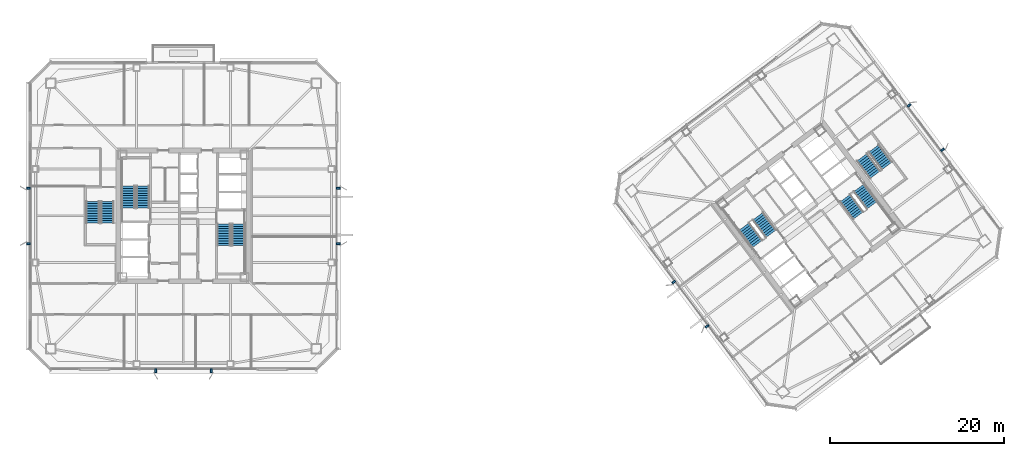
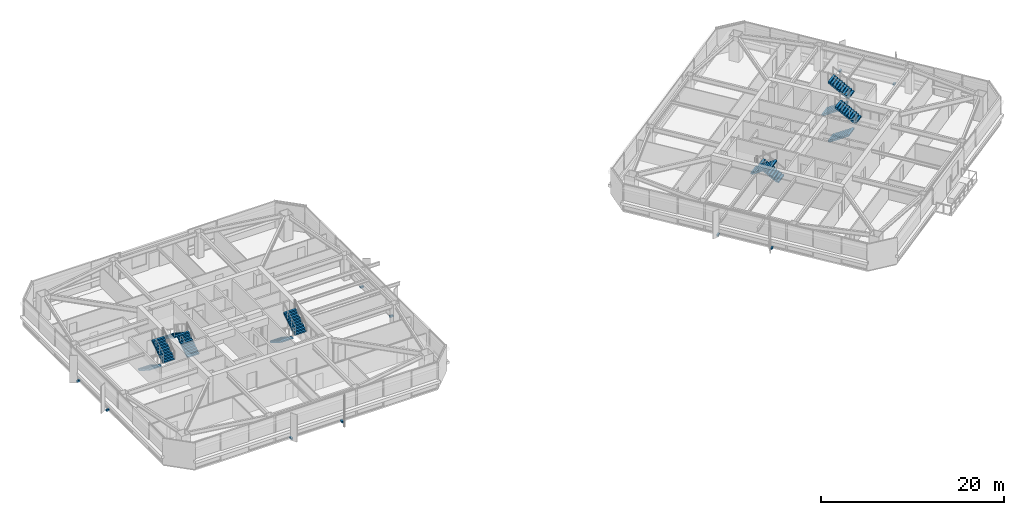
# One storey, part 40 of 46: 12 stair flights, 10 discrete accessories, 6 elements without a shape of their own.
"""IFC4 building model written with IfcOpenShell, lengths in metres."""

from ifc_helpers import new_model, si_unit, direction, frame, origin, origin_2d, place, context, subcontext, project, spatial, polyline, rectangle, outline, extrude, material, type_object, element, aggregate, save


model = new_model("IFC4")

# Units and contexts
model_context = context("Model", 3, precision=1e-05, world=origin(), true_north=direction((0.0, 1.0)))
body_context = subcontext(model_context, "Body", "Model", "MODEL_VIEW")
ifc_project = project(units=[si_unit("LENGTHUNIT", "METRE"), si_unit("AREAUNIT", "SQUARE_METRE"), si_unit("VOLUMEUNIT", "CUBIC_METRE"), si_unit("PLANEANGLEUNIT", "RADIAN"), si_unit("MASSUNIT", "GRAM", prefix="KILO")], contexts=[model_context])

# Site, building, storey
site_placement = place(None, origin())
site = spatial("IfcSite", under=ifc_project, at=site_placement, CompositionType="ELEMENT")
building_placement = place(site_placement, origin())
building = spatial("IfcBuilding", under=site, at=building_placement, Name="Tashvorn Skyway Center", CompositionType="ELEMENT")
storey_placement = place(building_placement, frame((0.0, 0.0, 167.64990234375)))
storey = spatial("IfcBuildingStorey", under=building, at=storey_placement, Name="L45", CompositionType="ELEMENT", Elevation=167.64990234375)

# Stair, stair flights
ifc_material_1 = material(Name="Concrete C40/50", Category="concrete")
stair_type = type_object("IfcStairType", Name="STAIR-CORE-1500", PredefinedType="HALF_TURN_STAIR", material=ifc_material_1)
stair_1_placement = place(storey_placement, origin())
stair_1 = element("IfcStair", 1, at=stair_1_placement, inside=storey, type_object=stair_type, Name="L45 Tower 1 Exit Stair 1", PredefinedType="HALF_TURN_STAIR")
stair_flight_type = type_object("IfcStairFlightType", Name="SFLIGHT-1500", PredefinedType="STRAIGHT", material=ifc_material_1)
stair_flight_1_placement = place(storey_placement, frame((37.35009765625, 32.919921875, 0.0), z_axis=(0.0, 0.0, 1.0), x_axis=(0.0, 1.0, 0.0)))
stair_flight_1 = element("IfcStairFlight", 2, at=stair_flight_1_placement, type_object=stair_flight_type, Name="ST-T1-1 flight 1", NumberOfRisers=10, NumberOfTreads=9, PredefinedType="STRAIGHT", RiserHeight=0.1775, TreadLength=0.28, context=body_context, shape_type="SweptSolid", body=[
    extrude(outline(polyline([(0.0, 0.0), (0.0, 0.177490234375), (0.280029296875, 0.177490234375), (0.280029296875, 0.35498046875), (0.56005859375, 0.35498046875), (0.56005859375, 0.532470703125), (0.840087890625, 0.532470703125), (0.840087890625, 0.7099609375), (1.1201171875, 0.7099609375), (1.1201171875, 0.887451171875), (1.39990234375, 0.887451171875), (1.39990234375, 1.06494140625), (1.679931640625, 1.06494140625), (1.679931640625, 1.242431640625), (1.9599609375, 1.242431640625), (1.9599609375, 1.419921875), (2.239990234375, 1.419921875), (2.239990234375, 1.597412109375), (2.52001953125, 1.597412109375), (2.52001953125, 1.77490234375), (2.52001953125, 1.419921875), (0.280029296875, 0.0), (0.0, 0.0)])), frame((0.0, 0.75, 0.0), z_axis=(0.0, -1.0, 0.0), x_axis=(1.0, 0.0, 0.0)), (0.0, 0.0, 1.0), 1.5),
])
stair_flight_2_placement = place(storey_placement, frame((35.64990234375, 35.43994140625, 1.775146484375), z_axis=(0.0, 0.0, 1.0), x_axis=(0.0, -1.0, 0.0)))
stair_flight_2 = element("IfcStairFlight", 3, at=stair_flight_2_placement, type_object=stair_flight_type, Name="ST-T1-1 flight 2", NumberOfRisers=10, NumberOfTreads=9, PredefinedType="STRAIGHT", RiserHeight=0.1775, TreadLength=0.28, context=body_context, shape_type="SweptSolid", body=[
    extrude(outline(polyline([(0.0, 0.0), (0.0, 0.177490234375), (0.280029296875, 0.177490234375), (0.280029296875, 0.35498046875), (0.56005859375, 0.35498046875), (0.56005859375, 0.532470703125), (0.840087890625, 0.532470703125), (0.840087890625, 0.7099609375), (1.1201171875, 0.7099609375), (1.1201171875, 0.887451171875), (1.39990234375, 0.887451171875), (1.39990234375, 1.06494140625), (1.679931640625, 1.06494140625), (1.679931640625, 1.242431640625), (1.9599609375, 1.242431640625), (1.9599609375, 1.419921875), (2.239990234375, 1.419921875), (2.239990234375, 1.597412109375), (2.52001953125, 1.597412109375), (2.52001953125, 1.77490234375), (2.52001953125, 1.419921875), (0.280029296875, 0.0), (0.0, 0.0)])), frame((0.0, 0.75, 0.0), z_axis=(0.0, -1.0, 0.0), x_axis=(1.0, 0.0, 0.0)), (0.0, 0.0, 1.0), 1.5),
])
aggregate(stair_1, [stair_flight_1, stair_flight_2])

stair_2_placement = place(storey_placement, origin())
stair_2 = element("IfcStair", 4, at=stair_2_placement, inside=storey, type_object=stair_type, Name="L45 Tower 1 Exit Stair 2", PredefinedType="HALF_TURN_STAIR")
stair_flight_3_placement = place(storey_placement, frame((46.64990234375, 31.080078125, 0.0), z_axis=(0.0, 0.0, 1.0), x_axis=(0.0, -1.0, 0.0)))
stair_flight_3 = element("IfcStairFlight", 5, at=stair_flight_3_placement, type_object=stair_flight_type, Name="ST-T1-2 flight 1", NumberOfRisers=10, NumberOfTreads=9, PredefinedType="STRAIGHT", RiserHeight=0.1775, TreadLength=0.28, context=body_context, shape_type="SweptSolid", body=[
    extrude(outline(polyline([(0.0, 0.0), (0.0, 0.177490234375), (0.280029296875, 0.177490234375), (0.280029296875, 0.35498046875), (0.56005859375, 0.35498046875), (0.56005859375, 0.532470703125), (0.840087890625, 0.532470703125), (0.840087890625, 0.7099609375), (1.1201171875, 0.7099609375), (1.1201171875, 0.887451171875), (1.39990234375, 0.887451171875), (1.39990234375, 1.06494140625), (1.679931640625, 1.06494140625), (1.679931640625, 1.242431640625), (1.9599609375, 1.242431640625), (1.9599609375, 1.419921875), (2.239990234375, 1.419921875), (2.239990234375, 1.597412109375), (2.52001953125, 1.597412109375), (2.52001953125, 1.77490234375), (2.52001953125, 1.419921875), (0.280029296875, 0.0), (0.0, 0.0)])), frame((0.0, 0.75, 0.0), z_axis=(0.0, -1.0, 0.0), x_axis=(1.0, 0.0, 0.0)), (0.0, 0.0, 1.0), 1.5),
])
stair_flight_4_placement = place(storey_placement, frame((48.35009765625, 28.56005859375, 1.775146484375), z_axis=(0.0, 0.0, 1.0), x_axis=(0.0, 1.0, 0.0)))
stair_flight_4 = element("IfcStairFlight", 6, at=stair_flight_4_placement, type_object=stair_flight_type, Name="ST-T1-2 flight 2", NumberOfRisers=10, NumberOfTreads=9, PredefinedType="STRAIGHT", RiserHeight=0.1775, TreadLength=0.28, context=body_context, shape_type="SweptSolid", body=[
    extrude(outline(polyline([(0.0, 0.0), (0.0, 0.177490234375), (0.280029296875, 0.177490234375), (0.280029296875, 0.35498046875), (0.56005859375, 0.35498046875), (0.56005859375, 0.532470703125), (0.840087890625, 0.532470703125), (0.840087890625, 0.7099609375), (1.1201171875, 0.7099609375), (1.1201171875, 0.887451171875), (1.39990234375, 0.887451171875), (1.39990234375, 1.06494140625), (1.679931640625, 1.06494140625), (1.679931640625, 1.242431640625), (1.9599609375, 1.242431640625), (1.9599609375, 1.419921875), (2.239990234375, 1.419921875), (2.239990234375, 1.597412109375), (2.52001953125, 1.597412109375), (2.52001953125, 1.77490234375), (2.52001953125, 1.419921875), (0.280029296875, 0.0), (0.0, 0.0)])), frame((0.0, 0.75, 0.0), z_axis=(0.0, -1.0, 0.0), x_axis=(1.0, 0.0, 0.0)), (0.0, 0.0, 1.0), 1.5),
])
aggregate(stair_2, [stair_flight_3, stair_flight_4])

stair_3_placement = place(storey_placement, origin())
stair_3 = element("IfcStair", 7, at=stair_3_placement, inside=storey, type_object=stair_type, Name="L45 Tower 2 Exit Stair 1", PredefinedType="HALF_TURN_STAIR")
stair_flight_5_placement = place(storey_placement, frame((109.72802734375, 29.946044921875, 0.0), z_axis=(0.0, 0.0, 1.0), x_axis=(-0.600000004945, 0.799999996291, 0.0)))
stair_flight_5 = element("IfcStairFlight", 8, at=stair_flight_5_placement, type_object=stair_flight_type, Name="ST-T2-1 flight 1", NumberOfRisers=10, NumberOfTreads=9, PredefinedType="STRAIGHT", RiserHeight=0.1775, TreadLength=0.28, context=body_context, shape_type="SweptSolid", body=[
    extrude(outline(polyline([(0.0, 0.0), (0.0, 0.177490234375), (0.280029296875, 0.177490234375), (0.280029296875, 0.35498046875), (0.56005859375, 0.35498046875), (0.56005859375, 0.532470703125), (0.840087890625, 0.532470703125), (0.840087890625, 0.7099609375), (1.1201171875, 0.7099609375), (1.1201171875, 0.887451171875), (1.39990234375, 0.887451171875), (1.39990234375, 1.06494140625), (1.679931640625, 1.06494140625), (1.679931640625, 1.242431640625), (1.9599609375, 1.242431640625), (1.9599609375, 1.419921875), (2.239990234375, 1.419921875), (2.239990234375, 1.597412109375), (2.52001953125, 1.597412109375), (2.52001953125, 1.77490234375), (2.52001953125, 1.419921875), (0.280029296875, 0.0), (0.0, 0.0)])), frame((0.0, 0.75, 0.0), z_axis=(0.0, -1.0, 0.0), x_axis=(1.0, 0.0, 0.0)), (0.0, 0.0, 1.0), 1.5),
])
stair_flight_6_placement = place(storey_placement, frame((106.632080078125, 30.77392578125, 1.775146484375), z_axis=(0.0, 0.0, 1.0), x_axis=(0.600000004945, -0.799999996291, 0.0)))
stair_flight_6 = element("IfcStairFlight", 9, at=stair_flight_6_placement, type_object=stair_flight_type, Name="ST-T2-1 flight 2", NumberOfRisers=10, NumberOfTreads=9, PredefinedType="STRAIGHT", RiserHeight=0.1775, TreadLength=0.28, context=body_context, shape_type="SweptSolid", body=[
    extrude(outline(polyline([(0.0, 0.0), (0.0, 0.177490234375), (0.280029296875, 0.177490234375), (0.280029296875, 0.35498046875), (0.56005859375, 0.35498046875), (0.56005859375, 0.532470703125), (0.840087890625, 0.532470703125), (0.840087890625, 0.7099609375), (1.1201171875, 0.7099609375), (1.1201171875, 0.887451171875), (1.39990234375, 0.887451171875), (1.39990234375, 1.06494140625), (1.679931640625, 1.06494140625), (1.679931640625, 1.242431640625), (1.9599609375, 1.242431640625), (1.9599609375, 1.419921875), (2.239990234375, 1.419921875), (2.239990234375, 1.597412109375), (2.52001953125, 1.597412109375), (2.52001953125, 1.77490234375), (2.52001953125, 1.419921875), (0.280029296875, 0.0), (0.0, 0.0)])), frame((0.0, 0.75, 0.0), z_axis=(0.0, -1.0, 0.0), x_axis=(1.0, 0.0, 0.0)), (0.0, 0.0, 1.0), 1.5),
])
aggregate(stair_3, [stair_flight_5, stair_flight_6])

stair_4_placement = place(storey_placement, origin())
stair_4 = element("IfcStair", 10, at=stair_4_placement, inside=storey, type_object=stair_type, Name="L45 Tower 2 Exit Stair 2", PredefinedType="HALF_TURN_STAIR")
stair_flight_7_placement = place(storey_placement, frame((118.27197265625, 34.053955078125, 0.0), z_axis=(0.0, 0.0, 1.0), x_axis=(0.600000004945, -0.799999996291, 0.0)))
stair_flight_7 = element("IfcStairFlight", 11, at=stair_flight_7_placement, type_object=stair_flight_type, Name="ST-T2-2 flight 1", NumberOfRisers=10, NumberOfTreads=9, PredefinedType="STRAIGHT", RiserHeight=0.1775, TreadLength=0.28, context=body_context, shape_type="SweptSolid", body=[
    extrude(outline(polyline([(0.0, 0.0), (0.0, 0.177490234375), (0.280029296875, 0.177490234375), (0.280029296875, 0.35498046875), (0.56005859375, 0.35498046875), (0.56005859375, 0.532470703125), (0.840087890625, 0.532470703125), (0.840087890625, 0.7099609375), (1.1201171875, 0.7099609375), (1.1201171875, 0.887451171875), (1.39990234375, 0.887451171875), (1.39990234375, 1.06494140625), (1.679931640625, 1.06494140625), (1.679931640625, 1.242431640625), (1.9599609375, 1.242431640625), (1.9599609375, 1.419921875), (2.239990234375, 1.419921875), (2.239990234375, 1.597412109375), (2.52001953125, 1.597412109375), (2.52001953125, 1.77490234375), (2.52001953125, 1.419921875), (0.280029296875, 0.0), (0.0, 0.0)])), frame((0.0, 0.75, 0.0), z_axis=(0.0, -1.0, 0.0), x_axis=(1.0, 0.0, 0.0)), (0.0, 0.0, 1.0), 1.5),
])
stair_flight_8_placement = place(storey_placement, frame((121.367919921875, 33.22607421875, 1.775146484375), z_axis=(0.0, 0.0, 1.0), x_axis=(-0.600000004945, 0.799999996291, 0.0)))
stair_flight_8 = element("IfcStairFlight", 12, at=stair_flight_8_placement, type_object=stair_flight_type, Name="ST-T2-2 flight 2", NumberOfRisers=10, NumberOfTreads=9, PredefinedType="STRAIGHT", RiserHeight=0.1775, TreadLength=0.28, context=body_context, shape_type="SweptSolid", body=[
    extrude(outline(polyline([(0.0, 0.0), (0.0, 0.177490234375), (0.280029296875, 0.177490234375), (0.280029296875, 0.35498046875), (0.56005859375, 0.35498046875), (0.56005859375, 0.532470703125), (0.840087890625, 0.532470703125), (0.840087890625, 0.7099609375), (1.1201171875, 0.7099609375), (1.1201171875, 0.887451171875), (1.39990234375, 0.887451171875), (1.39990234375, 1.06494140625), (1.679931640625, 1.06494140625), (1.679931640625, 1.242431640625), (1.9599609375, 1.242431640625), (1.9599609375, 1.419921875), (2.239990234375, 1.419921875), (2.239990234375, 1.597412109375), (2.52001953125, 1.597412109375), (2.52001953125, 1.77490234375), (2.52001953125, 1.419921875), (0.280029296875, 0.0), (0.0, 0.0)])), frame((0.0, 0.75, 0.0), z_axis=(0.0, -1.0, 0.0), x_axis=(1.0, 0.0, 0.0)), (0.0, 0.0, 1.0), 1.5),
])
aggregate(stair_4, [stair_flight_7, stair_flight_8])

stair_5_placement = place(storey_placement, origin())
stair_5 = element("IfcStair", 13, at=stair_5_placement, inside=storey, type_object=stair_type, Name="L45 Tower 1 Exit Stair 3", PredefinedType="HALF_TURN_STAIR")
stair_flight_9_placement = place(storey_placement, frame((31.550048828125, 33.679931640625, 0.0), z_axis=(0.0, 0.0, 1.0), x_axis=(0.0, -1.0, 0.0)))
stair_flight_9 = element("IfcStairFlight", 14, at=stair_flight_9_placement, type_object=stair_flight_type, Name="ST-T1-3 flight 1", NumberOfRisers=10, NumberOfTreads=9, PredefinedType="STRAIGHT", RiserHeight=0.1775, TreadLength=0.28, context=body_context, shape_type="SweptSolid", body=[
    extrude(outline(polyline([(0.0, 0.0), (0.0, 0.177490234375), (0.280029296875, 0.177490234375), (0.280029296875, 0.35498046875), (0.56005859375, 0.35498046875), (0.56005859375, 0.532470703125), (0.840087890625, 0.532470703125), (0.840087890625, 0.7099609375), (1.1201171875, 0.7099609375), (1.1201171875, 0.887451171875), (1.39990234375, 0.887451171875), (1.39990234375, 1.06494140625), (1.679931640625, 1.06494140625), (1.679931640625, 1.242431640625), (1.9599609375, 1.242431640625), (1.9599609375, 1.419921875), (2.239990234375, 1.419921875), (2.239990234375, 1.597412109375), (2.52001953125, 1.597412109375), (2.52001953125, 1.77490234375), (2.52001953125, 1.419921875), (0.280029296875, 0.0), (0.0, 0.0)])), frame((0.0, 0.75, 0.0), z_axis=(0.0, -1.0, 0.0), x_axis=(1.0, 0.0, 0.0)), (0.0, 0.0, 1.0), 1.5),
])
stair_flight_10_placement = place(storey_placement, frame((33.25, 31.159912109375, 1.775146484375), z_axis=(0.0, 0.0, 1.0), x_axis=(0.0, 1.0, 0.0)))
stair_flight_10 = element("IfcStairFlight", 15, at=stair_flight_10_placement, type_object=stair_flight_type, Name="ST-T1-3 flight 2", NumberOfRisers=10, NumberOfTreads=9, PredefinedType="STRAIGHT", RiserHeight=0.1775, TreadLength=0.28, context=body_context, shape_type="SweptSolid", body=[
    extrude(outline(polyline([(0.0, 0.0), (0.0, 0.177490234375), (0.280029296875, 0.177490234375), (0.280029296875, 0.35498046875), (0.56005859375, 0.35498046875), (0.56005859375, 0.532470703125), (0.840087890625, 0.532470703125), (0.840087890625, 0.7099609375), (1.1201171875, 0.7099609375), (1.1201171875, 0.887451171875), (1.39990234375, 0.887451171875), (1.39990234375, 1.06494140625), (1.679931640625, 1.06494140625), (1.679931640625, 1.242431640625), (1.9599609375, 1.242431640625), (1.9599609375, 1.419921875), (2.239990234375, 1.419921875), (2.239990234375, 1.597412109375), (2.52001953125, 1.597412109375), (2.52001953125, 1.77490234375), (2.52001953125, 1.419921875), (0.280029296875, 0.0), (0.0, 0.0)])), frame((0.0, 0.75, 0.0), z_axis=(0.0, -1.0, 0.0), x_axis=(1.0, 0.0, 0.0)), (0.0, 0.0, 1.0), 1.5),
])
aggregate(stair_5, [stair_flight_9, stair_flight_10])

stair_6_placement = place(storey_placement, origin())
stair_6 = element("IfcStair", 16, at=stair_6_placement, inside=storey, type_object=stair_type, Name="L45 Tower 2 Exit Stair 3", PredefinedType="HALF_TURN_STAIR")
stair_flight_11_placement = place(storey_placement, frame((120.216064453125, 38.761962890625, 0.0), z_axis=(0.0, 0.0, 1.0), x_axis=(0.600000004945, -0.799999996291, 0.0)))
stair_flight_11 = element("IfcStairFlight", 17, at=stair_flight_11_placement, type_object=stair_flight_type, Name="ST-T2-3 flight 1", NumberOfRisers=10, NumberOfTreads=9, PredefinedType="STRAIGHT", RiserHeight=0.1775, TreadLength=0.28, context=body_context, shape_type="SweptSolid", body=[
    extrude(outline(polyline([(0.0, 0.0), (0.0, 0.177490234375), (0.280029296875, 0.177490234375), (0.280029296875, 0.35498046875), (0.56005859375, 0.35498046875), (0.56005859375, 0.532470703125), (0.840087890625, 0.532470703125), (0.840087890625, 0.7099609375), (1.1201171875, 0.7099609375), (1.1201171875, 0.887451171875), (1.39990234375, 0.887451171875), (1.39990234375, 1.06494140625), (1.679931640625, 1.06494140625), (1.679931640625, 1.242431640625), (1.9599609375, 1.242431640625), (1.9599609375, 1.419921875), (2.239990234375, 1.419921875), (2.239990234375, 1.597412109375), (2.52001953125, 1.597412109375), (2.52001953125, 1.77490234375), (2.52001953125, 1.419921875), (0.280029296875, 0.0), (0.0, 0.0)])), frame((0.0, 0.75, 0.0), z_axis=(0.0, -1.0, 0.0), x_axis=(1.0, 0.0, 0.0)), (0.0, 0.0, 1.0), 1.5),
])
stair_flight_12_placement = place(storey_placement, frame((123.087890625, 37.76611328125, 1.775146484375), z_axis=(0.0, 0.0, 1.0), x_axis=(-0.600000004945, 0.799999996291, 0.0)))
stair_flight_12 = element("IfcStairFlight", 18, at=stair_flight_12_placement, type_object=stair_flight_type, Name="ST-T2-3 flight 2", NumberOfRisers=10, NumberOfTreads=9, PredefinedType="STRAIGHT", RiserHeight=0.1775, TreadLength=0.28, context=body_context, shape_type="SweptSolid", body=[
    extrude(outline(polyline([(0.0, 0.0), (0.0, 0.177490234375), (0.280029296875, 0.177490234375), (0.280029296875, 0.35498046875), (0.56005859375, 0.35498046875), (0.56005859375, 0.532470703125), (0.840087890625, 0.532470703125), (0.840087890625, 0.7099609375), (1.1201171875, 0.7099609375), (1.1201171875, 0.887451171875), (1.39990234375, 0.887451171875), (1.39990234375, 1.06494140625), (1.679931640625, 1.06494140625), (1.679931640625, 1.242431640625), (1.9599609375, 1.242431640625), (1.9599609375, 1.419921875), (2.239990234375, 1.419921875), (2.239990234375, 1.597412109375), (2.52001953125, 1.597412109375), (2.52001953125, 1.77490234375), (2.52001953125, 1.419921875), (0.280029296875, 0.0), (0.0, 0.0)])), frame((0.0, 0.75, 0.0), z_axis=(0.0, -1.0, 0.0), x_axis=(1.0, 0.0, 0.0)), (0.0, 0.0, 1.0), 1.5),
])
aggregate(stair_6, [stair_flight_11, stair_flight_12])

# Discrete accessories
ifc_material_2 = material(Name="Steel ASTM A572 Grade 50", Category="steel")
discrete_accessory_type = type_object("IfcDiscreteAccessoryType", Name="ACC-BRACKET-350", PredefinedType="BRACKET", material=ifc_material_2)
for number, where, z_axis, x_axis, name in (
    (19, (38.800048828125, 14.139892578125, -0.169921875), (0.0, 0.0, 1.0), (-1.0, 0.0, 0.0), "Tower 1 L45 Solar Screen Fixing Bracket S1"),
    (20, (45.199951171875, 14.139892578125, -0.169921875), (0.0, 0.0, 1.0), (-1.0, 0.0, 0.0), "Tower 1 L45 Solar Screen Fixing Bracket S2"),
    (21, (24.139892578125, 28.800048828125, -0.169921875), (0.0, 0.0, 1.0), (0.0, 1.0, 0.0), "Tower 1 L45 Solar Screen Fixing Bracket W1"),
    (22, (24.139892578125, 35.199951171875, -0.169921875), (0.0, 0.0, 1.0), (0.0, 1.0, 0.0), "Tower 1 L45 Solar Screen Fixing Bracket W2"),
    (23, (59.860107421875, 28.800048828125, -0.169921875), (0.0, 0.0, 1.0), (0.0, -1.0, 0.0), "Tower 1 L45 Solar Screen Fixing Bracket E1"),
    (24, (59.860107421875, 35.199951171875, -0.169921875), (0.0, 0.0, 1.0), (0.0, -1.0, 0.0), "Tower 1 L45 Solar Screen Fixing Bracket E2"),
    (25, (102.35205078125, 19.263916015625, -0.169921875), (0.0, 0.0, 1.0), (-0.600000004945, 0.799999996291, 0.0), "Tower 2 L45 Solar Screen Fixing Bracket W1"),
    (26, (98.511962890625, 24.384033203125, -0.169921875), (0.0, 0.0, 1.0), (-0.600000004945, 0.799999996291, 0.0), "Tower 2 L45 Solar Screen Fixing Bracket W2"),
    (27, (129.488037109375, 39.615966796875, -0.169921875), (0.0, 0.0, 1.0), (0.600000004945, -0.799999996291, 0.0), "Tower 2 L45 Solar Screen Fixing Bracket E1"),
    (28, (125.64794921875, 44.736083984375, -0.169921875), (0.0, 0.0, 1.0), (0.600000004945, -0.799999996291, 0.0), "Tower 2 L45 Solar Screen Fixing Bracket E2"),
):
    element("IfcDiscreteAccessory", number, at=place(storey_placement, frame(where, z_axis=z_axis, x_axis=x_axis)), inside=storey, type_object=discrete_accessory_type, Name=name, PredefinedType="BRACKET", context=body_context, shape_type="SweptSolid", body=[
        extrude(rectangle(XDim=0.219970703125, YDim=0.43994140625, at=origin_2d()), origin(), (0.0, 0.0, 1.0), 0.219970703125),
    ])

save(model, "model.ifc")
